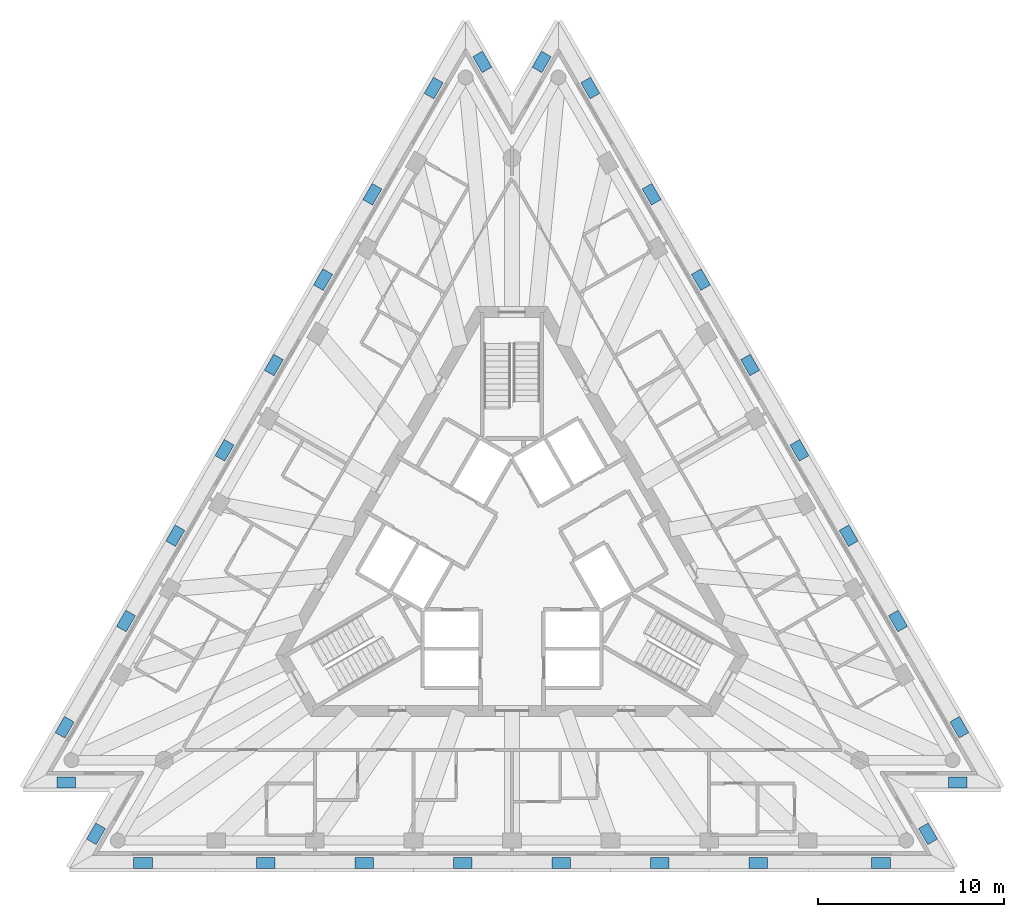
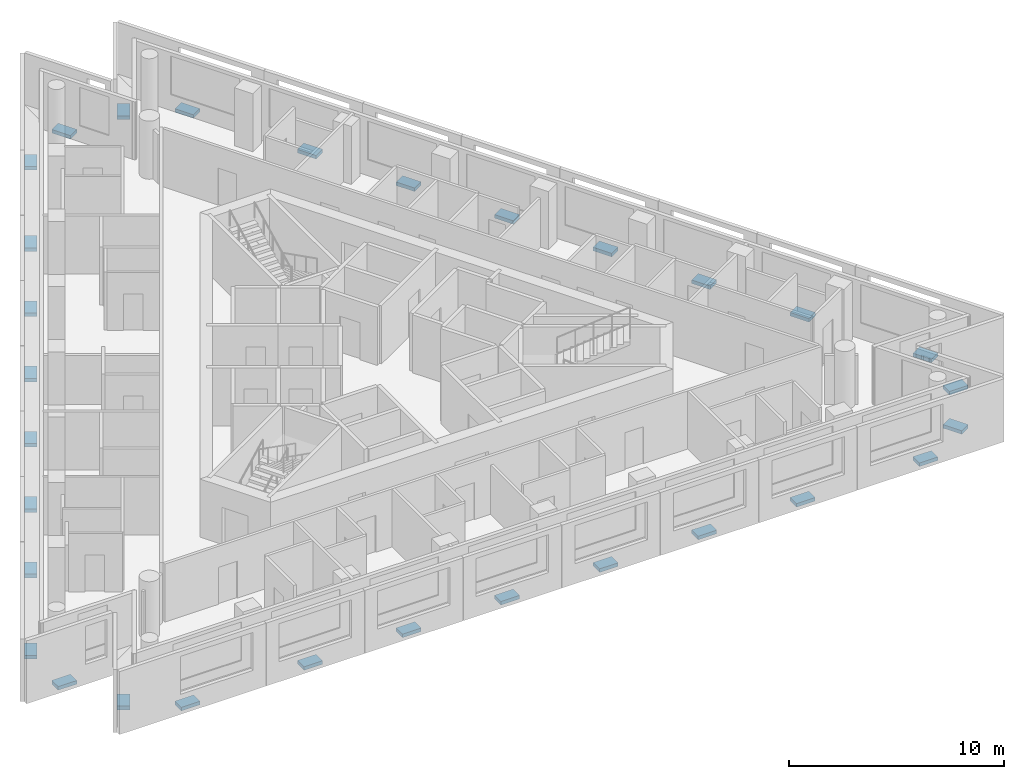
# One storey, part 9 of 11: 30 discrete accessories.
"""IFC4 building model written with IfcOpenShell, lengths in metres."""

from ifc_helpers import new_model, si_unit, direction, frame, origin, origin_2d, place, context, subcontext, project, spatial, rectangle, extrude, material, type_object, element, save


model = new_model("IFC4")

# Units and contexts
model_context = context("Model", 3, precision=1e-05, world=origin(), true_north=direction((0.0, 1.0)))
body_context = subcontext(model_context, "Body", "Model", "MODEL_VIEW")
ifc_project = project(units=[si_unit("LENGTHUNIT", "METRE"), si_unit("AREAUNIT", "SQUARE_METRE"), si_unit("VOLUMEUNIT", "CUBIC_METRE"), si_unit("PLANEANGLEUNIT", "RADIAN"), si_unit("MASSUNIT", "GRAM", prefix="KILO")], contexts=[model_context])

# Site, building, storey
site_placement = place(None, origin())
site = spatial("IfcSite", under=ifc_project, at=site_placement, CompositionType="ELEMENT")
building_placement = place(site_placement, origin())
building = spatial("IfcBuilding", under=site, at=building_placement, Name="Triada Interchange Tower", CompositionType="ELEMENT")
storey_placement = place(building_placement, frame((0.0, 0.0, 300.699951171875)))
storey = spatial("IfcBuildingStorey", under=building, at=storey_placement, Name="L71", CompositionType="ELEMENT", Elevation=300.699951171875)

# Discrete accessories
ifc_material = material(Name="Steel S355", Category="steel")
discrete_accessory_type = type_object("IfcDiscreteAccessoryType", Name="Steel bracket outer skin", PredefinedType="BRACKET", material=ifc_material)
for number, where, z_axis, x_axis, name in (
    (1, (-4.212890625, 25.35693359375, -0.27001953125), (0.0, 0.0, 1.0), (-0.866027201468, 0.499996886308, 0.0), "Bracket L71 01"),
    (2, (-7.512939453125, 19.64111328125, -0.27001953125), (0.0, 0.0, 1.0), (-0.866027201468, 0.499996886308, 0.0), "Bracket L71 02"),
    (3, (-10.1640625, 15.050048828125, -0.27001953125), (0.0, 0.0, 1.0), (-0.866027201468, 0.499996886308, 0.0), "Bracket L71 03"),
    (4, (-12.81396484375, 10.458984375, -0.27001953125), (0.0, 0.0, 1.0), (-0.866027201468, 0.499996886308, 0.0), "Bracket L71 04"),
    (5, (-15.465087890625, 5.867919921875, -0.27001953125), (0.0, 0.0, 1.0), (-0.866027201468, 0.499996886308, 0.0), "Bracket L71 05"),
    (6, (-18.114990234375, 1.277099609375, -0.27001953125), (0.0, 0.0, 1.0), (-0.866027201468, 0.499996886308, 0.0), "Bracket L71 06"),
    (7, (-20.76611328125, -3.31396484375, -0.27001953125), (0.0, 0.0, 1.0), (-0.866027201468, 0.499996886308, 0.0), "Bracket L71 07"),
    (8, (-24.06591796875, -9.029052734375, -0.27001953125), (0.0, 0.0, 1.0), (-0.866027201468, 0.499996886308, 0.0), "Bracket L71 08"),
    (9, (-23.97509765625, -12.0, -0.27001953125), (0.0, 0.0, 1.0), (0.0, -1.0, 0.0), "Bracket L71 09"),
    (10, (-22.3798828125, -14.762939453125, -0.27001953125), (0.0, 0.0, 1.0), (-0.86595559963, 0.500120884856, 0.0), "Bracket L71 10"),
    (11, (-19.85205078125, -16.326904296875, -0.27001953125), (0.0, 0.0, 1.0), (0.0, -1.0, 0.0), "Bracket L71 11"),
    (12, (-13.2529296875, -16.326904296875, -0.27001953125), (0.0, 0.0, 1.0), (0.0, -1.0, 0.0), "Bracket L71 12"),
    (13, (-7.950927734375, -16.326904296875, -0.27001953125), (0.0, 0.0, 1.0), (0.0, -1.0, 0.0), "Bracket L71 13"),
    (14, (-2.64990234375, -16.326904296875, -0.27001953125), (0.0, 0.0, 1.0), (0.0, -1.0, 0.0), "Bracket L71 14"),
    (15, (2.65087890625, -16.326904296875, -0.27001953125), (0.0, 0.0, 1.0), (0.0, -1.0, 0.0), "Bracket L71 15"),
    (16, (7.951904296875, -16.326904296875, -0.27001953125), (0.0, 0.0, 1.0), (0.0, -1.0, 0.0), "Bracket L71 16"),
    (17, (13.2529296875, -16.326904296875, -0.27001953125), (0.0, 0.0, 1.0), (0.0, -1.0, 0.0), "Bracket L71 17"),
    (18, (19.85205078125, -16.326904296875, -0.27001953125), (0.0, 0.0, 1.0), (0.0, -1.0, 0.0), "Bracket L71 18"),
    (19, (22.3798828125, -14.762939453125, -0.27001953125), (0.0, 0.0, 1.0), (0.86595559963, 0.500120884856, 0.0), "Bracket L71 19"),
    (20, (23.97509765625, -12.0, -0.27001953125), (0.0, 0.0, 1.0), (0.0, -1.0, 0.0), "Bracket L71 20"),
    (21, (24.06591796875, -9.029052734375, -0.27001953125), (0.0, 0.0, 1.0), (0.866027201468, 0.499996886308, 0.0), "Bracket L71 21"),
    (22, (20.76611328125, -3.31396484375, -0.27001953125), (0.0, 0.0, 1.0), (0.866027201468, 0.499996886308, 0.0), "Bracket L71 22"),
    (23, (18.114990234375, 1.277099609375, -0.27001953125), (0.0, 0.0, 1.0), (0.866027201468, 0.499996886308, 0.0), "Bracket L71 23"),
    (24, (15.465087890625, 5.867919921875, -0.27001953125), (0.0, 0.0, 1.0), (0.866027201468, 0.499996886308, 0.0), "Bracket L71 24"),
    (25, (12.81396484375, 10.458984375, -0.27001953125), (0.0, 0.0, 1.0), (0.866027201468, 0.499996886308, 0.0), "Bracket L71 25"),
    (26, (10.1640625, 15.050048828125, -0.27001953125), (0.0, 0.0, 1.0), (0.866027201468, 0.499996886308, 0.0), "Bracket L71 26"),
    (27, (7.512939453125, 19.64111328125, -0.27001953125), (0.0, 0.0, 1.0), (0.866027201468, 0.499996886308, 0.0), "Bracket L71 27"),
    (28, (4.212890625, 25.35693359375, -0.27001953125), (0.0, 0.0, 1.0), (0.866027201468, 0.499996886308, 0.0), "Bracket L71 28"),
    (29, (1.594970703125, 26.762939453125, -0.27001953125), (0.0, 0.0, 1.0), (-0.866092285778, 0.499884139092, 0.0), "Bracket L71 29"),
    (30, (-1.594970703125, 26.762939453125, -0.27001953125), (0.0, 0.0, 1.0), (0.866092285778, 0.499884139092, 0.0), "Bracket L71 30"),
):
    element("IfcDiscreteAccessory", number, at=place(storey_placement, frame(where, z_axis=z_axis, x_axis=x_axis)), inside=storey, type_object=discrete_accessory_type, Name=name, PredefinedType="BRACKET", context=body_context, shape_type="SweptSolid", body=[
        extrude(rectangle(XDim=0.60009765625, YDim=1.0, at=origin_2d()), origin(), (0.0, 0.0, 1.0), 0.199951171875),
    ])

save(model, "model.ifc")
